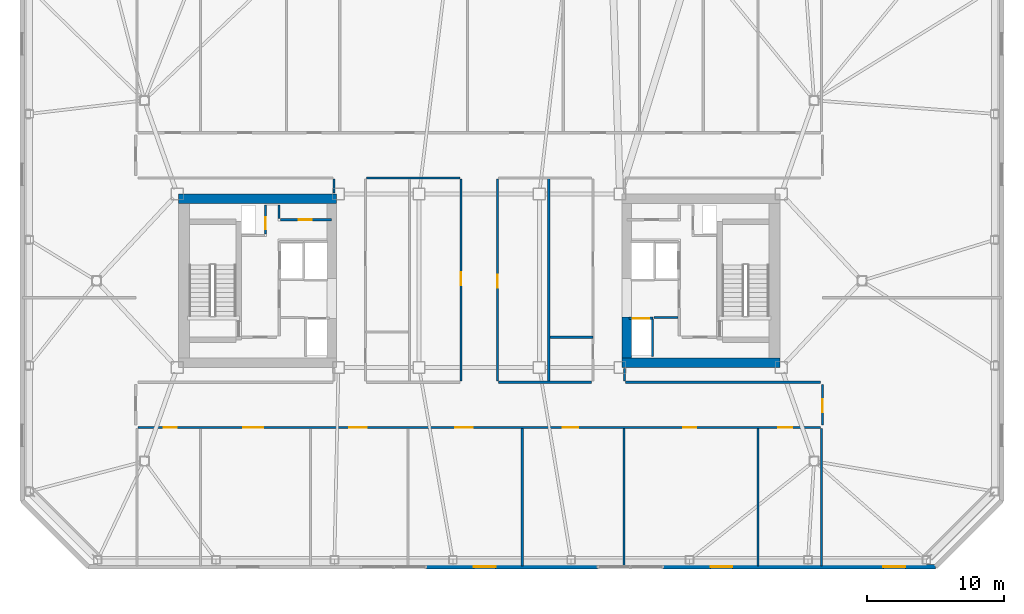
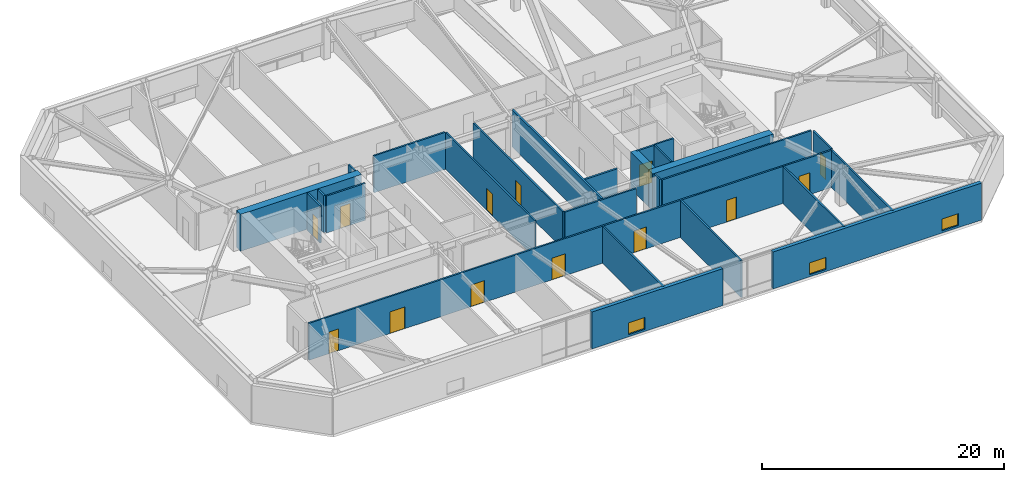
# One storey, part 11 of 19: 26 walls, 13 doors, 3 windows, 16 openings.
"""IFC4 building model written with IfcOpenShell, lengths in metres."""

from ifc_helpers import new_model, si_unit, direction, frame, frame_2d, origin, place, context, subcontext, project, spatial, rectangle, extrude, material, layer, layer_set, type_object, element, fill, save


model = new_model("IFC4")

# Units and contexts
model_context = context("Model", 3, precision=1e-05, world=origin(), true_north=direction((0.0, 1.0)))
body_context = subcontext(model_context, "Body", "Model", "MODEL_VIEW")
ifc_project = project(units=[si_unit("LENGTHUNIT", "METRE"), si_unit("AREAUNIT", "SQUARE_METRE"), si_unit("VOLUMEUNIT", "CUBIC_METRE"), si_unit("PLANEANGLEUNIT", "RADIAN"), si_unit("MASSUNIT", "GRAM", prefix="KILO")], contexts=[model_context])

# Site, building, storey
site_placement = place(None, origin())
site = spatial("IfcSite", under=ifc_project, at=site_placement, CompositionType="ELEMENT")
building_placement = place(site_placement, origin())
building = spatial("IfcBuilding", under=site, at=building_placement, Name="Tavrogorsk Clinical Tower", CompositionType="ELEMENT")
storey_placement = place(building_placement, frame((0.0, 0.0, 172.199951171875)))
storey = spatial("IfcBuildingStorey", under=building, at=storey_placement, Name="L39", CompositionType="ELEMENT", Elevation=172.199951171875)

# Wall, opening, door
ifc_material_1 = material(Name="Lightweight concrete blockwork B15", Category="masonry")
ifc_layer_1 = layer(ifc_material_1, 0.159912109375)
ifc_layer_set_1 = layer_set([ifc_layer_1], Name="Lightweight concrete blockwork B15")
wall_type_1 = type_object("IfcWallType", Name="PartitionWall_160", PredefinedType="PARTITIONING", material=ifc_layer_set_1)
wall_1_placement = place(storey_placement, frame((-14.554931640625, 4.4599609375, 0.0), z_axis=(0.0, 0.0, 1.0), x_axis=(1.0, 0.0, 0.0)))
wall_1 = element("IfcWall", 1, at=wall_1_placement, inside=storey, type_object=wall_type_1, Name="L39 Core West Pneumatic Dispatch South Wall", PredefinedType="PARTITIONING", context=body_context, shape_type="SweptSolid", body=[
    extrude(rectangle(XDim=3.7548828125, YDim=0.159912109375, at=frame_2d((1.87744140625, 0.0))), origin(), (0.0, 0.0, 1.0), 3.739990234375),
])
opening_1_placement = place(wall_1_placement, frame((1.35009765625, 0.0, 0.0)))
opening_1 = element("IfcOpeningElement", 2, at=opening_1_placement, cuts=wall_1, Name="Opening ID-02", PredefinedType="OPENING", context=body_context, shape_type="SweptSolid", body=[
    extrude(rectangle(XDim=0.949951171875, YDim=2.199951171875, at=frame_2d((0.47509765625, 1.10009765625))), frame((0.0, 0.08984375, 0.0), z_axis=(0.0, -1.0, 0.0), x_axis=(1.0, 0.0, 0.0)), (0.0, 0.0, 1.0), 0.179931640625),
])
ifc_material_2 = material(Name="Laminated timber leaf on aluminium frame", Category="wood")
door_type_1 = type_object("IfcDoorType", Name="InteriorDoor_ID02_950", OperationType="NOTDEFINED", PredefinedType="DOOR", material=ifc_material_2)
door_1_placement = place(opening_1_placement, origin())
door_1 = element("IfcDoor", 3, at=door_1_placement, inside=storey, type_object=door_type_1, Name="L39 Core West Pneumatic Dispatch Door", OperationType="SINGLE_SWING_LEFT", OverallHeight=2.199951171875, OverallWidth=0.949951171875, PredefinedType="DOOR", context=body_context, shape_type="SweptSolid", body=[
    extrude(rectangle(XDim=0.949951171875, YDim=2.199951171875, at=frame_2d((0.47509765625, 1.10009765625))), frame((0.0, 0.02490234375, 0.0), z_axis=(0.0, -1.0, 0.0), x_axis=(1.0, 0.0, 0.0)), (0.0, 0.0, 1.0), 0.050048828125),
])
fill(opening_1, door_1)

# Walls
wall_2_placement = place(storey_placement, frame((-14.639892578125, 4.544921875, 0.0), z_axis=(0.0, 0.0, 1.0), x_axis=(0.0, 1.0, 0.0)))
element("IfcWall", 4, at=wall_2_placement, inside=storey, type_object=wall_type_1, Name="L39 Core West Pneumatic Dispatch East Wall", PredefinedType="PARTITIONING", context=body_context, shape_type="SweptSolid", body=[
    extrude(rectangle(XDim=1.01513671875, YDim=0.159912109375, at=frame_2d((0.507568359375, 0.0))), origin(), (0.0, 0.0, 1.0), 3.739990234375),
])
wall_3_placement = place(storey_placement, frame((12.77490234375, -2.699951171875, 0.0), z_axis=(0.0, 0.0, 1.0), x_axis=(1.0, 0.0, 0.0)))
element("IfcWall", 5, at=wall_3_placement, inside=storey, type_object=wall_type_1, Name="L39 Core East Freed Low-Bank North Partition", PredefinedType="PARTITIONING", context=body_context, shape_type="SweptSolid", body=[
    extrude(rectangle(XDim=1.760009765625, YDim=0.159912109375, at=frame_2d((0.8798828125, 0.0))), origin(), (0.0, 0.0, 1.0), 3.739990234375),
])
wall_4_placement = place(storey_placement, frame((-10.6298828125, 6.419921875, 0.0), z_axis=(0.0, 0.0, 1.0), x_axis=(0.0, 1.0, 0.0)))
element("IfcWall", 6, at=wall_4_placement, inside=storey, type_object=wall_type_1, Name="L39 Corridor Partition 04", PredefinedType="PARTITIONING", context=body_context, shape_type="SweptSolid", body=[
    extrude(rectangle(XDim=1.01513671875, YDim=0.159912109375, at=frame_2d((0.507568359375, 0.0))), origin(), (0.0, 0.0, 1.0), 3.739990234375),
])
wall_5_placement = place(storey_placement, frame((10.6298828125, -6.419921875, 0.0), z_axis=(0.0, 0.0, 1.0), x_axis=(0.0, -1.0, 0.0)))
element("IfcWall", 7, at=wall_5_placement, inside=storey, type_object=wall_type_1, Name="L39 Corridor Partition 11", PredefinedType="PARTITIONING", context=body_context, shape_type="SweptSolid", body=[
    extrude(rectangle(XDim=0.9150390625, YDim=0.159912109375, at=frame_2d((0.45751953125, 0.0))), origin(), (0.0, 0.0, 1.0), 3.739990234375),
])
wall_6_placement = place(storey_placement, frame((10.715087890625, -7.419921875, 0.0), z_axis=(0.0, 0.0, 1.0), x_axis=(1.0, 0.0, 0.0)))
element("IfcWall", 8, at=wall_6_placement, inside=storey, type_object=wall_type_1, Name="L39 Corridor Partition 12", PredefinedType="PARTITIONING", context=body_context, shape_type="SweptSolid", body=[
    extrude(rectangle(XDim=14.25, YDim=0.159912109375, at=frame_2d((7.125, 0.0))), origin(), (0.0, 0.0, 1.0), 3.739990234375),
])

# Wall, opening, door
wall_7_placement = place(storey_placement, frame((25.1298828125, -7.5849609375, 0.0), z_axis=(0.0, 0.0, 1.0), x_axis=(0.0, -1.0, 0.0)))
wall_7 = element("IfcWall", 9, at=wall_7_placement, inside=storey, type_object=wall_type_1, Name="L39 Corridor Partition 13", PredefinedType="PARTITIONING", context=body_context, shape_type="SweptSolid", body=[
    extrude(rectangle(XDim=2.97998046875, YDim=0.159912109375, at=frame_2d((1.489990234375, 0.0))), origin(), (0.0, 0.0, 1.0), 3.739990234375),
])
opening_2_placement = place(wall_7_placement, frame((1.10009765625, 0.0, 0.0)))
opening_2 = element("IfcOpeningElement", 10, at=opening_2_placement, cuts=wall_7, Name="Opening ID-02", PredefinedType="OPENING", context=body_context, shape_type="SweptSolid", body=[
    extrude(rectangle(XDim=0.949951171875, YDim=2.199951171875, at=frame_2d((0.47509765625, 1.10009765625))), frame((0.0, 0.08984375, 0.0), z_axis=(0.0, -1.0, 0.0), x_axis=(1.0, 0.0, 0.0)), (0.0, 0.0, 1.0), 0.179931640625),
])
door_2_placement = place(opening_2_placement, origin())
door_2 = element("IfcDoor", 11, at=door_2_placement, inside=storey, type_object=door_type_1, Name="L39 E Senior Clinician Suite 1 Door", OperationType="SINGLE_SWING_LEFT", OverallHeight=2.199951171875, OverallWidth=0.949951171875, PredefinedType="DOOR", context=body_context, shape_type="SweptSolid", body=[
    extrude(rectangle(XDim=0.949951171875, YDim=2.199951171875, at=frame_2d((0.47509765625, 1.10009765625))), frame((0.0, 0.02490234375, 0.0), z_axis=(0.0, -1.0, 0.0), x_axis=(1.0, 0.0, 0.0)), (0.0, 0.0, 1.0), 0.050048828125),
])
fill(opening_2, door_2)

# Wall, openings, doors
wall_8_placement = place(storey_placement, frame((24.965087890625, -10.72998046875, 0.0), z_axis=(0.0, 0.0, 1.0), x_axis=(-1.0, 0.0, 0.0)))
wall_8 = element("IfcWall", 12, at=wall_8_placement, inside=storey, type_object=wall_type_1, Name="L39 Corridor Partition 14", PredefinedType="PARTITIONING", context=body_context, shape_type="SweptSolid", body=[
    extrude(rectangle(XDim=49.93017578125, YDim=0.159912109375, at=frame_2d((24.965087890625, 0.0))), origin(), (0.0, 0.0, 1.0), 3.739990234375),
])
opening_3_placement = place(wall_8_placement, frame((47.10595703125, 0.0, 0.0)))
opening_3 = element("IfcOpeningElement", 13, at=opening_3_placement, cuts=wall_8, Name="Opening ID-02", PredefinedType="OPENING", context=body_context, shape_type="SweptSolid", body=[
    extrude(rectangle(XDim=0.949951171875, YDim=2.199951171875, at=frame_2d((0.47509765625, 1.10009765625))), frame((0.0, 0.08984375, 0.0), z_axis=(0.0, -1.0, 0.0), x_axis=(1.0, 0.0, 0.0)), (0.0, 0.0, 1.0), 0.179931640625),
])
opening_4_placement = place(wall_8_placement, frame((40.77490234375, 0.0, 0.0)))
opening_4 = element("IfcOpeningElement", 14, at=opening_4_placement, cuts=wall_8, Name="Opening ID-05", PredefinedType="OPENING", context=body_context, shape_type="SweptSolid", body=[
    extrude(rectangle(XDim=1.449951171875, YDim=2.199951171875, at=frame_2d((0.72509765625, 1.10009765625))), frame((0.0, 0.08984375, 0.0), z_axis=(0.0, -1.0, 0.0), x_axis=(1.0, 0.0, 0.0)), (0.0, 0.0, 1.0), 0.179931640625),
])
opening_5_placement = place(wall_8_placement, frame((33.175048828125, 0.0, 0.0)))
opening_5 = element("IfcOpeningElement", 15, at=opening_5_placement, cuts=wall_8, Name="Opening ID-01", PredefinedType="OPENING", context=body_context, shape_type="SweptSolid", body=[
    extrude(rectangle(XDim=1.300048828125, YDim=2.199951171875, at=frame_2d((0.64990234375, 1.10009765625))), frame((0.0, 0.08984375, 0.0), z_axis=(0.0, -1.0, 0.0), x_axis=(1.0, 0.0, 0.0)), (0.0, 0.0, 1.0), 0.179931640625),
])
opening_6_placement = place(wall_8_placement, frame((25.425048828125, 0.0, 0.0)))
opening_6 = element("IfcOpeningElement", 16, at=opening_6_placement, cuts=wall_8, Name="Opening ID-01", PredefinedType="OPENING", context=body_context, shape_type="SweptSolid", body=[
    extrude(rectangle(XDim=1.300048828125, YDim=2.199951171875, at=frame_2d((0.64990234375, 1.10009765625))), frame((0.0, 0.08984375, 0.0), z_axis=(0.0, -1.0, 0.0), x_axis=(1.0, 0.0, 0.0)), (0.0, 0.0, 1.0), 0.179931640625),
])
opening_7_placement = place(wall_8_placement, frame((17.699951171875, 0.0, 0.0)))
opening_7 = element("IfcOpeningElement", 17, at=opening_7_placement, cuts=wall_8, Name="Opening ID-06", PredefinedType="OPENING", context=body_context, shape_type="SweptSolid", body=[
    extrude(rectangle(XDim=1.14990234375, YDim=2.199951171875, at=frame_2d((0.574951171875, 1.10009765625))), frame((0.0, 0.08984375, 0.0), z_axis=(0.0, -1.0, 0.0), x_axis=(1.0, 0.0, 0.0)), (0.0, 0.0, 1.0), 0.179931640625),
])
opening_8_placement = place(wall_8_placement, frame((9.074951171875, 0.0, 0.0)))
opening_8 = element("IfcOpeningElement", 18, at=opening_8_placement, cuts=wall_8, Name="Opening ID-02", PredefinedType="OPENING", context=body_context, shape_type="SweptSolid", body=[
    extrude(rectangle(XDim=0.949951171875, YDim=2.199951171875, at=frame_2d((0.47509765625, 1.10009765625))), frame((0.0, 0.08984375, 0.0), z_axis=(0.0, -1.0, 0.0), x_axis=(1.0, 0.0, 0.0)), (0.0, 0.0, 1.0), 0.179931640625),
])
opening_9_placement = place(wall_8_placement, frame((2.044189453125, 0.0, 0.0)))
opening_9 = element("IfcOpeningElement", 19, at=opening_9_placement, cuts=wall_8, Name="Opening ID-04", PredefinedType="OPENING", context=body_context, shape_type="SweptSolid", body=[
    extrude(rectangle(XDim=1.050048828125, YDim=2.199951171875, at=frame_2d((0.52490234375, 1.10009765625))), frame((0.0, 0.08984375, 0.0), z_axis=(0.0, -1.0, 0.0), x_axis=(1.0, 0.0, 0.0)), (0.0, 0.0, 1.0), 0.179931640625),
])
ifc_material_3 = material(Name="Antibacterial HPL consultation door on aluminium frame", Category="aluminium")
door_type_2 = type_object("IfcDoorType", Name="ConsultDoor_ID04_1050", OperationType="NOTDEFINED", PredefinedType="DOOR", material=ifc_material_3)
door_3_placement = place(opening_9_placement, origin())
door_3 = element("IfcDoor", 20, at=door_3_placement, inside=storey, type_object=door_type_2, Name="L39 South Clinical Case Seminar Room 05 Door", OperationType="SINGLE_SWING_RIGHT", OverallHeight=2.199951171875, OverallWidth=1.050048828125, PredefinedType="DOOR", context=body_context, shape_type="SweptSolid", body=[
    extrude(rectangle(XDim=1.050048828125, YDim=2.199951171875, at=frame_2d((0.52490234375, 1.10009765625))), frame((0.0, 0.02490234375, 0.0), z_axis=(0.0, -1.0, 0.0), x_axis=(1.0, 0.0, 0.0)), (0.0, 0.0, 1.0), 0.050048828125),
])
fill(opening_9, door_3)
ifc_material_4 = material(Name="Antibacterial HPL bariatric ward double door")
door_type_3 = type_object("IfcDoorType", Name="DoubleWardDoor_ID05_1450", OperationType="DOUBLE_SWING_LEFT", PredefinedType="DOOR", material=ifc_material_4)
door_4_placement = place(opening_4_placement, origin())
door_4 = element("IfcDoor", 21, at=door_4_placement, inside=storey, type_object=door_type_3, Name="L39 South Bariatric Observation Ward 02A Door", OperationType="DOUBLE_SWING_LEFT", OverallHeight=2.199951171875, OverallWidth=1.449951171875, PredefinedType="DOOR", context=body_context, shape_type="SweptSolid", body=[
    extrude(rectangle(XDim=1.449951171875, YDim=2.199951171875, at=frame_2d((0.72509765625, 1.10009765625))), frame((0.0, 0.02490234375, 0.0), z_axis=(0.0, -1.0, 0.0), x_axis=(1.0, 0.0, 0.0)), (0.0, 0.0, 1.0), 0.050048828125),
])
fill(opening_4, door_4)
door_5_placement = place(opening_3_placement, origin())
door_5 = element("IfcDoor", 22, at=door_5_placement, inside=storey, type_object=door_type_1, Name="L39 South Staff Rest & Nourishment Lounge 01 Door", OperationType="SINGLE_SWING_RIGHT", OverallHeight=2.199951171875, OverallWidth=0.949951171875, PredefinedType="DOOR", context=body_context, shape_type="SweptSolid", body=[
    extrude(rectangle(XDim=0.949951171875, YDim=2.199951171875, at=frame_2d((0.47509765625, 1.10009765625))), frame((0.0, 0.02490234375, 0.0), z_axis=(0.0, -1.0, 0.0), x_axis=(1.0, 0.0, 0.0)), (0.0, 0.0, 1.0), 0.050048828125),
])
fill(opening_3, door_5)
door_6_placement = place(opening_8_placement, origin())
door_6 = element("IfcDoor", 23, at=door_6_placement, inside=storey, type_object=door_type_1, Name="L39 South Soiled Utility & Sluice Room 04 Door", OperationType="SINGLE_SWING_LEFT", OverallHeight=2.199951171875, OverallWidth=0.949951171875, PredefinedType="DOOR", context=body_context, shape_type="SweptSolid", body=[
    extrude(rectangle(XDim=0.949951171875, YDim=2.199951171875, at=frame_2d((0.47509765625, 1.10009765625))), frame((0.0, 0.02490234375, 0.0), z_axis=(0.0, -1.0, 0.0), x_axis=(1.0, 0.0, 0.0)), (0.0, 0.0, 1.0), 0.050048828125),
])
fill(opening_8, door_6)
ifc_material_5 = material(Name="Antibacterial HPL procedure door on aluminium frame", Category="aluminium")
door_type_4 = type_object("IfcDoorType", Name="LabDoor_ID06_1150", OperationType="NOTDEFINED", PredefinedType="DOOR", material=ifc_material_5)
door_7_placement = place(opening_7_placement, origin())
door_7 = element("IfcDoor", 24, at=door_7_placement, inside=storey, type_object=door_type_4, Name="L39 South Clean Medication & Prep Room 03B Door", OperationType="SINGLE_SWING_RIGHT", OverallHeight=2.199951171875, OverallWidth=1.14990234375, PredefinedType="DOOR", context=body_context, shape_type="SweptSolid", body=[
    extrude(rectangle(XDim=1.14990234375, YDim=2.199951171875, at=frame_2d((0.574951171875, 1.10009765625))), frame((0.0, 0.02490234375, 0.0), z_axis=(0.0, -1.0, 0.0), x_axis=(1.0, 0.0, 0.0)), (0.0, 0.0, 1.0), 0.050048828125),
])
fill(opening_7, door_7)
ifc_material_6 = material(Name="Antibacterial HPL medical leaf on aluminium frame", Category="aluminium")
door_type_5 = type_object("IfcDoorType", Name="WardBedDoor_ID01_1300", OperationType="NOTDEFINED", PredefinedType="DOOR", material=ifc_material_6)
door_8_placement = place(opening_5_placement, origin())
door_8 = element("IfcDoor", 25, at=door_8_placement, inside=storey, type_object=door_type_5, Name="L39 South Acute Medical Ward 02B Door", OperationType="SINGLE_SWING_RIGHT", OverallHeight=2.199951171875, OverallWidth=1.300048828125, PredefinedType="DOOR", context=body_context, shape_type="SweptSolid", body=[
    extrude(rectangle(XDim=1.300048828125, YDim=2.199951171875, at=frame_2d((0.64990234375, 1.10009765625))), frame((0.0, 0.02490234375, 0.0), z_axis=(0.0, -1.0, 0.0), x_axis=(1.0, 0.0, 0.0)), (0.0, 0.0, 1.0), 0.050048828125),
])
fill(opening_5, door_8)
door_9_placement = place(opening_6_placement, origin())
door_9 = element("IfcDoor", 26, at=door_9_placement, inside=storey, type_object=door_type_5, Name="L39 South Surgical Step-Down Ward 03A Door", OperationType="SINGLE_SWING_LEFT", OverallHeight=2.199951171875, OverallWidth=1.300048828125, PredefinedType="DOOR", context=body_context, shape_type="SweptSolid", body=[
    extrude(rectangle(XDim=1.300048828125, YDim=2.199951171875, at=frame_2d((0.64990234375, 1.10009765625))), frame((0.0, 0.02490234375, 0.0), z_axis=(0.0, -1.0, 0.0), x_axis=(1.0, 0.0, 0.0)), (0.0, 0.0, 1.0), 0.050048828125),
])
fill(opening_6, door_9)

# Wall, opening, door
wall_9_placement = place(storey_placement, frame((1.330078125, 7.43505859375, 0.0), z_axis=(0.0, 0.0, 1.0), x_axis=(0.0, -1.0, 0.0)))
wall_9 = element("IfcWall", 27, at=wall_9_placement, inside=storey, type_object=wall_type_1, Name="L39 Corridor Partition 16", PredefinedType="PARTITIONING", context=body_context, shape_type="SweptSolid", body=[
    extrude(rectangle(XDim=14.77001953125, YDim=0.159912109375, at=frame_2d((7.385009765625, 0.0))), origin(), (0.0, 0.0, 1.0), 3.739990234375),
])
opening_10_placement = place(wall_9_placement, frame((6.9951171875, 0.0, 0.0)))
opening_10 = element("IfcOpeningElement", 28, at=opening_10_placement, cuts=wall_9, Name="Opening ID-02", PredefinedType="OPENING", context=body_context, shape_type="SweptSolid", body=[
    extrude(rectangle(XDim=0.949951171875, YDim=2.199951171875, at=frame_2d((0.47509765625, 1.10009765625))), frame((0.0, 0.08984375, 0.0), z_axis=(0.0, -1.0, 0.0), x_axis=(1.0, 0.0, 0.0)), (0.0, 0.0, 1.0), 0.179931640625),
])
door_10_placement = place(opening_10_placement, origin())
door_10 = element("IfcDoor", 29, at=door_10_placement, inside=storey, type_object=door_type_1, Name="L39 Clean Medication Preparation Room Door", OperationType="SINGLE_SWING_RIGHT", OverallHeight=2.199951171875, OverallWidth=0.949951171875, PredefinedType="DOOR", context=body_context, shape_type="SweptSolid", body=[
    extrude(rectangle(XDim=0.949951171875, YDim=2.199951171875, at=frame_2d((0.47509765625, 1.10009765625))), frame((0.0, 0.02490234375, 0.0), z_axis=(0.0, -1.0, 0.0), x_axis=(1.0, 0.0, 0.0)), (0.0, 0.0, 1.0), 0.050048828125),
])
fill(opening_10, door_10)

# Wall
wall_10_placement = place(storey_placement, frame((1.4150390625, -7.419921875, 0.0), z_axis=(0.0, 0.0, 1.0), x_axis=(1.0, 0.0, 0.0)))
element("IfcWall", 30, at=wall_10_placement, inside=storey, type_object=wall_type_1, Name="L39 Corridor Partition 17", PredefinedType="PARTITIONING", context=body_context, shape_type="SweptSolid", body=[
    extrude(rectangle(XDim=6.820068359375, YDim=0.159912109375, at=frame_2d((3.41015625, 0.0))), origin(), (0.0, 0.0, 1.0), 3.739990234375),
])

# Wall, opening, door
wall_11_placement = place(storey_placement, frame((-1.330078125, -7.3349609375, 0.0), z_axis=(0.0, 0.0, 1.0), x_axis=(0.0, 1.0, 0.0)))
wall_11 = element("IfcWall", 31, at=wall_11_placement, inside=storey, type_object=wall_type_1, Name="L39 Corridor Partition 19", PredefinedType="PARTITIONING", context=body_context, shape_type="SweptSolid", body=[
    extrude(rectangle(XDim=14.77001953125, YDim=0.159912109375, at=frame_2d((7.385009765625, 0.0))), origin(), (0.0, 0.0, 1.0), 3.739990234375),
])
opening_11_placement = place(wall_11_placement, frame((6.9951171875, 0.0, 0.0)))
opening_11 = element("IfcOpeningElement", 32, at=opening_11_placement, cuts=wall_11, Name="Opening ID-02", PredefinedType="OPENING", context=body_context, shape_type="SweptSolid", body=[
    extrude(rectangle(XDim=0.949951171875, YDim=2.199951171875, at=frame_2d((0.47509765625, 1.10009765625))), frame((0.0, 0.08984375, 0.0), z_axis=(0.0, -1.0, 0.0), x_axis=(1.0, 0.0, 0.0)), (0.0, 0.0, 1.0), 0.179931640625),
])
door_11_placement = place(opening_11_placement, origin())
door_11 = element("IfcDoor", 33, at=door_11_placement, inside=storey, type_object=door_type_1, Name="L39 Nurses' Station & Telemetry Hub Door", OperationType="SINGLE_SWING_LEFT", OverallHeight=2.199951171875, OverallWidth=0.949951171875, PredefinedType="DOOR", context=body_context, shape_type="SweptSolid", body=[
    extrude(rectangle(XDim=0.949951171875, YDim=2.199951171875, at=frame_2d((0.47509765625, 1.10009765625))), frame((0.0, 0.02490234375, 0.0), z_axis=(0.0, -1.0, 0.0), x_axis=(1.0, 0.0, 0.0)), (0.0, 0.0, 1.0), 0.050048828125),
])
fill(opening_11, door_11)

# Walls
wall_12_placement = place(storey_placement, frame((-1.4150390625, 7.52001953125, 0.0), z_axis=(0.0, 0.0, 1.0), x_axis=(-1.0, 0.0, 0.0)))
element("IfcWall", 34, at=wall_12_placement, inside=storey, type_object=wall_type_1, Name="L39 Corridor Partition 20", PredefinedType="PARTITIONING", context=body_context, shape_type="SweptSolid", body=[
    extrude(rectangle(XDim=6.820068359375, YDim=0.159912109375, at=frame_2d((3.41015625, 0.0))), origin(), (0.0, 0.0, 1.0), 3.739990234375),
])
for number, where, z_axis, x_axis, name in (
    (35, (25.050048828125, -20.860107421875, 0.0), (0.0, 0.0, 1.0), (0.0, 1.0, 0.0), "L39 SE Wing Closure Partition"),
    (36, (10.60009765625, -20.860107421875, 0.0), (0.0, 0.0, 1.0), (0.0, 1.0, 0.0), "L39 South Room Partition 3"),
    (37, (20.39990234375, -20.860107421875, 0.0), (0.0, 0.0, 1.0), (0.0, 1.0, 0.0), "L39 South Room Partition 4"),
    (38, (3.14990234375, -20.860107421875, 0.0), (0.0, 0.0, 1.0), (0.0, 1.0, 0.0), "L39 South Sub-Partition 3"),
):
    element("IfcWall", number, at=place(storey_placement, frame(where, z_axis=z_axis, x_axis=x_axis)), inside=storey, type_object=wall_type_1, Name=name, PredefinedType="PARTITIONING", context=body_context, shape_type="SweptSolid", body=[
        extrude(rectangle(XDim=10.045166015625, YDim=0.159912109375, at=frame_2d((5.0224609375, 0.0))), origin(), (0.0, 0.0, 1.0), 3.739990234375),
    ])
ifc_material_7 = material(Name="Lightweight concrete blockwork B20", Category="masonry")
ifc_layer_2 = layer(ifc_material_7, 0.179931640625)
ifc_layer_set_2 = layer_set([ifc_layer_2], Name="Lightweight concrete blockwork B20")
wall_type_2 = type_object("IfcWallType", Name="PartitionWall_180", PredefinedType="PARTITIONING", material=ifc_layer_set_2)
wall_13_placement = place(storey_placement, frame((5.10009765625, -7.4150390625, 0.0), z_axis=(0.0, 0.0, 1.0), x_axis=(0.0, 1.0, 0.0)))
element("IfcWall", 39, at=wall_13_placement, inside=storey, type_object=wall_type_2, Name="L39 Central Spine Partition 2", PredefinedType="PARTITIONING", context=body_context, shape_type="SweptSolid", body=[
    extrude(rectangle(XDim=14.929931640625, YDim=0.179931640625, at=frame_2d((7.46484375, 0.0))), origin(), (0.0, 0.0, 1.0), 3.739990234375),
])
wall_14_placement = place(storey_placement, frame((5.195068359375, -4.14990234375, 0.0), z_axis=(0.0, 0.0, 1.0), x_axis=(1.0, 0.0, 0.0)))
element("IfcWall", 40, at=wall_14_placement, inside=storey, type_object=wall_type_2, Name="L39 Central Spine Partition 4", PredefinedType="PARTITIONING", context=body_context, shape_type="SweptSolid", body=[
    extrude(rectangle(XDim=3.119873046875, YDim=0.179931640625, at=frame_2d((1.56005859375, 0.0))), origin(), (0.0, 0.0, 1.0), 3.739990234375),
])

# Wall, opening, window
ifc_material_8 = material(Name="Precast concrete B45 with limestone cladding", Category="masonry")
ifc_layer_3 = layer(ifc_material_8, 0.340087890625)
ifc_layer_set_3 = layer_set([ifc_layer_3], Name="Precast concrete B45 with limestone cladding")
wall_type_3 = type_object("IfcWallType", Name="PrecastLimestoneWall_340", PredefinedType="STANDARD", material=ifc_layer_set_3)
wall_15_placement = place(storey_placement, frame((-3.86279296875, -20.929931640625, 0.0), z_axis=(0.0, 0.0, 1.0), x_axis=(1.0, 0.0, 0.0)))
wall_15 = element("IfcWall", 41, at=wall_15_placement, inside=storey, type_object=wall_type_3, Name="L39 S Limestone Facade Wall 2", PredefinedType="STANDARD", context=body_context, shape_type="SweptSolid", body=[
    extrude(rectangle(XDim=12.525634765625, YDim=0.340087890625, at=frame_2d((6.2626953125, 0.0))), origin(), (0.0, 0.0, 1.0), 3.739990234375),
])
opening_12_placement = place(wall_15_placement, frame((3.470458984375, 0.0, 0.219970703125)))
opening_12 = element("IfcOpeningElement", 42, at=opening_12_placement, cuts=wall_15, Name="Opening WN-09", PredefinedType="OPENING", context=body_context, shape_type="SweptSolid", body=[
    extrude(rectangle(XDim=1.60009765625, YDim=1.199951171875, at=frame_2d((0.800048828125, 0.60009765625))), frame((0.0, 0.179931640625, 0.0), z_axis=(0.0, -1.0, 0.0), x_axis=(1.0, 0.0, 0.0)), (0.0, 0.0, 1.0), 0.360107421875),
])
ifc_material_9 = material(Name="Thermally broken aluminium frame and triple IGU", Category="aluminium")
window_type = type_object("IfcWindowType", Name="LowHeadTransWin_1600x1200", PartitioningType="DOUBLE_PANEL_VERTICAL", PredefinedType="WINDOW", material=ifc_material_9)
window_1_placement = place(opening_12_placement, origin())
window_1 = element("IfcWindow", 43, at=window_1_placement, inside=storey, type_object=window_type, Name="L39 S Chicago Window 05", OverallHeight=1.199951171875, OverallWidth=1.60009765625, PartitioningType="SINGLE_PANEL", PredefinedType="WINDOW", context=body_context, shape_type="SweptSolid", body=[
    extrude(rectangle(XDim=1.60009765625, YDim=1.199951171875, at=frame_2d((0.800048828125, 0.60009765625))), frame((0.0, 0.030029296875, 0.0), z_axis=(0.0, -1.0, 0.0), x_axis=(1.0, 0.0, 0.0)), (0.0, 0.0, 1.0), 0.06005859375),
])
fill(opening_12, window_1)

# Wall, openings, windows
wall_16_placement = place(storey_placement, frame((13.462890625, -20.929931640625, 0.0), z_axis=(0.0, 0.0, 1.0), x_axis=(1.0, 0.0, 0.0)))
wall_16 = element("IfcWall", 44, at=wall_16_placement, inside=storey, type_object=wall_type_3, Name="L39 S Limestone Facade Wall 3", PredefinedType="STANDARD", context=body_context, shape_type="SweptSolid", body=[
    extrude(rectangle(XDim=19.93701171875, YDim=0.340087890625, at=frame_2d((9.968505859375, 0.0))), origin(), (0.0, 0.0, 1.0), 3.739990234375),
])
opening_13_placement = place(wall_16_placement, frame((3.470458984375, 0.0, 0.219970703125)))
opening_13 = element("IfcOpeningElement", 45, at=opening_13_placement, cuts=wall_16, Name="Opening WN-09", PredefinedType="OPENING", context=body_context, shape_type="SweptSolid", body=[
    extrude(rectangle(XDim=1.60009765625, YDim=1.199951171875, at=frame_2d((0.800048828125, 0.60009765625))), frame((0.0, 0.179931640625, 0.0), z_axis=(0.0, -1.0, 0.0), x_axis=(1.0, 0.0, 0.0)), (0.0, 0.0, 1.0), 0.360107421875),
])
opening_14_placement = place(wall_16_placement, frame((16.1181640625, 0.0, 0.219970703125)))
opening_14 = element("IfcOpeningElement", 46, at=opening_14_placement, cuts=wall_16, Name="Opening WN-09", PredefinedType="OPENING", context=body_context, shape_type="SweptSolid", body=[
    extrude(rectangle(XDim=1.60009765625, YDim=1.199951171875, at=frame_2d((0.800048828125, 0.60009765625))), frame((0.0, 0.179931640625, 0.0), z_axis=(0.0, -1.0, 0.0), x_axis=(1.0, 0.0, 0.0)), (0.0, 0.0, 1.0), 0.360107421875),
])
window_2_placement = place(opening_13_placement, origin())
window_2 = element("IfcWindow", 47, at=window_2_placement, inside=storey, type_object=window_type, Name="L39 S Chicago Window 07", OverallHeight=1.199951171875, OverallWidth=1.60009765625, PartitioningType="SINGLE_PANEL", PredefinedType="WINDOW", context=body_context, shape_type="SweptSolid", body=[
    extrude(rectangle(XDim=1.60009765625, YDim=1.199951171875, at=frame_2d((0.800048828125, 0.60009765625))), frame((0.0, 0.030029296875, 0.0), z_axis=(0.0, -1.0, 0.0), x_axis=(1.0, 0.0, 0.0)), (0.0, 0.0, 1.0), 0.06005859375),
])
fill(opening_13, window_2)
window_3_placement = place(opening_14_placement, origin())
window_3 = element("IfcWindow", 48, at=window_3_placement, inside=storey, type_object=window_type, Name="L39 S Chicago Window 10", OverallHeight=1.199951171875, OverallWidth=1.60009765625, PartitioningType="SINGLE_PANEL", PredefinedType="WINDOW", context=body_context, shape_type="SweptSolid", body=[
    extrude(rectangle(XDim=1.60009765625, YDim=1.199951171875, at=frame_2d((0.800048828125, 0.60009765625))), frame((0.0, 0.030029296875, 0.0), z_axis=(0.0, -1.0, 0.0), x_axis=(1.0, 0.0, 0.0)), (0.0, 0.0, 1.0), 0.06005859375),
])
fill(opening_14, window_3)

# Wall, opening, door
ifc_material_10 = material(Name="Lightweight concrete blockwork B25", Category="masonry")
ifc_layer_4 = layer(ifc_material_10, 0.159912109375)
ifc_layer_set_4 = layer_set([ifc_layer_4], Name="Lightweight concrete blockwork B25")
wall_type_4 = type_object("IfcWallType", Name="ShaftWall_160", PredefinedType="PARTITIONING", material=ifc_layer_set_4)
wall_17_placement = place(storey_placement, frame((10.969970703125, -2.75, 0.0), z_axis=(0.0, 0.0, 1.0), x_axis=(1.0, 0.0, 0.0)))
wall_17 = element("IfcWall", 49, at=wall_17_placement, inside=storey, type_object=wall_type_4, Name="L39 LP-M2 Lift Shaft Portal Wall", PredefinedType="PARTITIONING", context=body_context, shape_type="SweptSolid", body=[
    extrude(rectangle(XDim=1.760009765625, YDim=0.159912109375, at=frame_2d((0.8798828125, 0.0))), origin(), (0.0, 0.0, 1.0), 3.739990234375),
])
opening_15_placement = place(wall_17_placement, frame((0.280029296875, 0.0, 0.0)))
opening_15 = element("IfcOpeningElement", 50, at=opening_15_placement, cuts=wall_17, Name="Opening LD", PredefinedType="OPENING", context=body_context, shape_type="SweptSolid", body=[
    extrude(rectangle(XDim=1.199951171875, YDim=2.199951171875, at=frame_2d((0.60009765625, 1.10009765625))), frame((0.0, 0.08984375, 0.0), z_axis=(0.0, -1.0, 0.0), x_axis=(1.0, 0.0, 0.0)), (0.0, 0.0, 1.0), 0.179931640625),
])
ifc_material_11 = material(Name="Brushed stainless steel AISI 304 sliding doors", Category="steel")
door_type_6 = type_object("IfcDoorType", Name="LiftLandingDoor_LD_1200", OperationType="SLIDING_TO_LEFT", PredefinedType="DOOR", material=ifc_material_11)
door_12_placement = place(opening_15_placement, origin())
door_12 = element("IfcDoor", 51, at=door_12_placement, inside=storey, type_object=door_type_6, Name="L39 LP-M2 Sliding Lift Landing Door", OperationType="SLIDING_TO_LEFT", OverallHeight=2.199951171875, OverallWidth=1.199951171875, PredefinedType="DOOR", context=body_context, shape_type="SweptSolid", body=[
    extrude(rectangle(XDim=1.199951171875, YDim=2.199951171875, at=frame_2d((0.60009765625, 1.10009765625))), frame((0.0, 0.02490234375, 0.0), z_axis=(0.0, -1.0, 0.0), x_axis=(1.0, 0.0, 0.0)), (0.0, 0.0, 1.0), 0.050048828125),
])
fill(opening_15, door_12)

wall_18_placement = place(storey_placement, frame((-15.639892578125, 3.405029296875, 0.0), z_axis=(0.0, 0.0, 1.0), x_axis=(0.0, 1.0, 0.0)))
wall_18 = element("IfcWall", 52, at=wall_18_placement, inside=storey, type_object=wall_type_4, Name="L39 Core West Riser West Wall", PredefinedType="PARTITIONING", context=body_context, shape_type="SweptSolid", body=[
    extrude(rectangle(XDim=2.155029296875, YDim=0.159912109375, at=frame_2d((1.07763671875, 0.0))), origin(), (0.0, 0.0, 1.0), 3.739990234375),
])
opening_16_placement = place(wall_18_placement, frame((0.35009765625, 0.0, 0.0)))
opening_16 = element("IfcOpeningElement", 53, at=opening_16_placement, cuts=wall_18, Name="Opening FD-02", PredefinedType="OPENING", context=body_context, shape_type="SweptSolid", body=[
    extrude(rectangle(XDim=0.89990234375, YDim=2.199951171875, at=frame_2d((0.449951171875, 1.10009765625))), frame((0.0, 0.08984375, 0.0), z_axis=(0.0, -1.0, 0.0), x_axis=(1.0, 0.0, 0.0)), (0.0, 0.0, 1.0), 0.179931640625),
])
ifc_material_12 = material(Name="Galvanised steel fire-rated door assembly", Category="steel")
door_type_7 = type_object("IfcDoorType", Name="FireDoor_FD02_900", OperationType="NOTDEFINED", PredefinedType="DOOR", material=ifc_material_12)
door_13_placement = place(opening_16_placement, origin())
door_13 = element("IfcDoor", 54, at=door_13_placement, inside=storey, type_object=door_type_7, Name="L39 Core West Electrical Riser Access Door", OperationType="SINGLE_SWING_LEFT", OverallHeight=2.199951171875, OverallWidth=0.89990234375, PredefinedType="DOOR", context=body_context, shape_type="SweptSolid", body=[
    extrude(rectangle(XDim=0.89990234375, YDim=2.199951171875, at=frame_2d((0.449951171875, 1.10009765625))), frame((0.0, 0.02490234375, 0.0), z_axis=(0.0, -1.0, 0.0), x_axis=(1.0, 0.0, 0.0)), (0.0, 0.0, 1.0), 0.050048828125),
])
fill(opening_16, door_13)

# Walls
wall_19_placement = place(storey_placement, frame((12.68994140625, -5.56005859375, 0.0), z_axis=(0.0, 0.0, 1.0), x_axis=(0.0, 1.0, 0.0)))
element("IfcWall", 55, at=wall_19_placement, inside=storey, type_object=wall_type_4, Name="L39 Core East Freed Low-Bank Shaft Divider", PredefinedType="PARTITIONING", context=body_context, shape_type="SweptSolid", body=[
    extrude(rectangle(XDim=2.775146484375, YDim=0.159912109375, at=frame_2d((1.3876953125, 0.0))), origin(), (0.0, 0.0, 1.0), 3.739990234375),
])
ifc_material_13 = material(Name="Concrete B80", Category="concrete")
ifc_layer_5 = layer(ifc_material_13, 0.699951171875)
ifc_layer_set_5 = layer_set([ifc_layer_5], Name="Concrete B80")
wall_type_5 = type_object("IfcWallType", Name="ShearWall_700", PredefinedType="SHEAR", material=ifc_layer_set_5)
for number, where, z_axis, x_axis, name in (
    (56, (-22.0, 6.0, 0.0), (0.0, 0.0, 1.0), (1.0, 0.0, 0.0), "L39 Core West North Shear Wall"),
    (57, (10.449951171875, -6.0, 0.0), (0.0, 0.0, 1.0), (1.0, 0.0, 0.0), "L39 Core East South Shear Wall"),
):
    element("IfcWall", number, at=place(storey_placement, frame(where, z_axis=z_axis, x_axis=x_axis)), inside=storey, type_object=wall_type_5, Name=name, PredefinedType="SHEAR", context=body_context, shape_type="SweptSolid", body=[
        extrude(rectangle(XDim=11.550048828125, YDim=0.699951171875, at=frame_2d((5.77490234375, 0.0))), origin(), (0.0, 0.0, 1.0), 3.739990234375),
    ])
wall_20_placement = place(storey_placement, frame((10.800048828125, -5.64990234375, 0.0), z_axis=(0.0, 0.0, 1.0), x_axis=(0.0, 1.0, 0.0)))
element("IfcWall", 58, at=wall_20_placement, inside=storey, type_object=wall_type_5, Name="L39 Core East Inner South Pier", PredefinedType="SHEAR", context=body_context, shape_type="SweptSolid", body=[
    extrude(rectangle(XDim=3.0, YDim=0.699951171875, at=frame_2d((1.5, 0.0))), origin(), (0.0, 0.0, 1.0), 3.739990234375),
])

save(model, "model.ifc")
